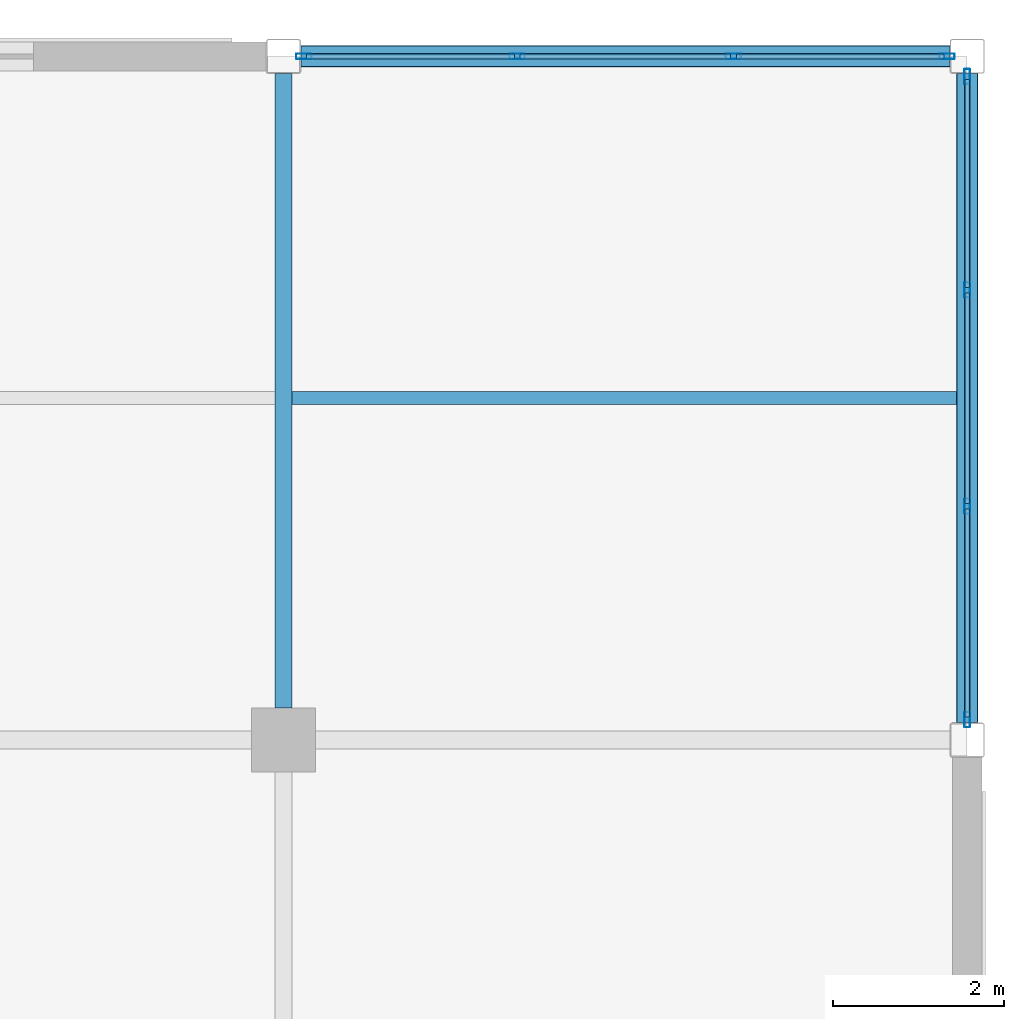
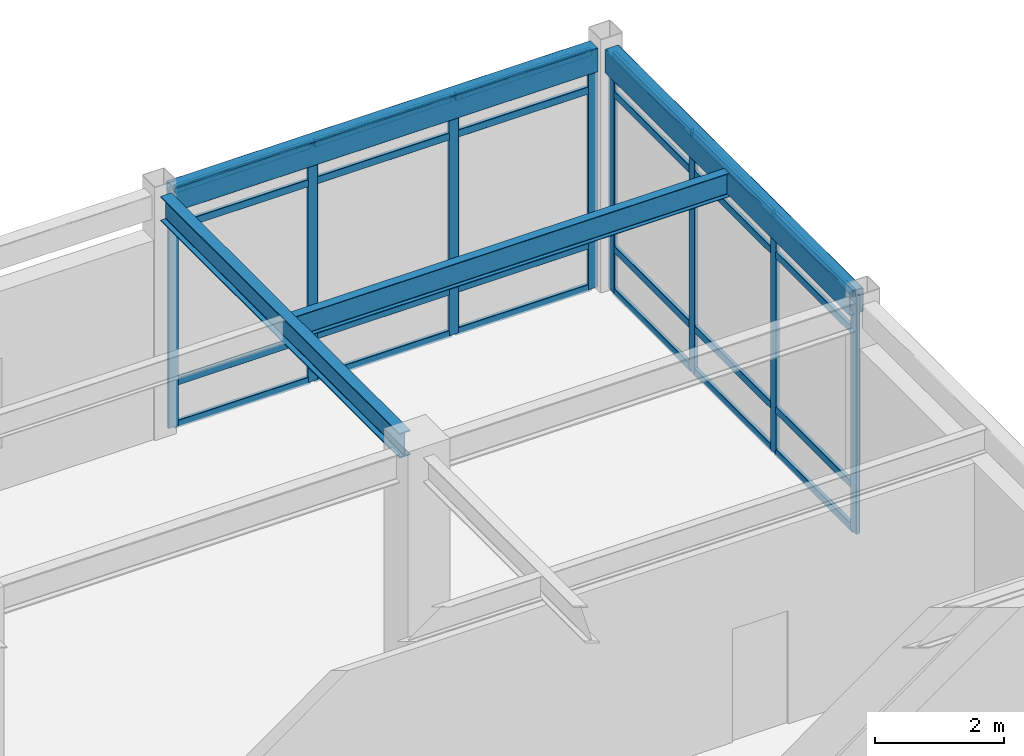
# One storey, part 82 of 117: 32 members, 4 beams, 2 elements without a shape of their own.
"""IFC4 building model written with IfcOpenShell, lengths in metres."""

import ifcopenshell
import ifcopenshell.guid

model = None  # the IFC model being written
_history = None  # IfcOwnerHistory: only IFC2X3 demands one
_inside = {}  # id of a spatial element -> (the spatial element, [elements in it])
_under = {}  # id of a project, library or spatial element -> (it, [spatial elements below it])
_declared = {}  # id of a project -> (the project, [libraries it declares])
_typed = {}  # id of a type object -> (the type object, [elements of that type])
_made_of = {}  # id of a material, layer set ... -> (it, [elements and type objects made of it])


def new_model(schema):
    """Start an empty IFC model of exactly this schema.

    Asked for "IFC4X3", IfcOpenShell would pick the latest addendum, in which some entities
    have other attributes; the version numbers below select the first issue.
    IFC2X3 requires an IfcOwnerHistory on every rooted entity: one is made here for all.
    """
    global model, _history
    if schema == "IFC4X3":
        model = ifcopenshell.file(schema_version=(4, 3, 0, 0))
    else:
        model = ifcopenshell.file(schema=schema)
    _inside.clear()
    _under.clear()
    _declared.clear()
    _typed.clear()
    _made_of.clear()
    _history = None
    if model.schema == "IFC2X3":
        org = make("IfcOrganization", Name="unknown")
        user = make(
            "IfcPersonAndOrganization",
            ThePerson=make("IfcPerson", FamilyName="unknown"),
            TheOrganization=org,
        )
        app = make(
            "IfcApplication",
            ApplicationDeveloper=org,
            Version="unknown",
            ApplicationFullName="unknown",
            ApplicationIdentifier="unknown",
        )
        _history = make(
            "IfcOwnerHistory",
            OwningUser=user,
            OwningApplication=app,
            ChangeAction="ADDED",
            CreationDate=0,
        )
    return model


def make(cls, **values):
    """One entity of the class cls with the attributes given. An attribute that is None is left unset."""
    return model.create_entity(
        cls, **{name: value for name, value in values.items() if value is not None}
    )


def rooted(cls, **values):
    """An entity with a GlobalId (a new one), such as an element, a storey or a relation."""
    return make(cls, GlobalId=ifcopenshell.guid.new(), OwnerHistory=_history, **values)


def si_unit(unit_type, name, prefix=None):
    """IfcSIUnit, for example si_unit("LENGTHUNIT", "METRE", prefix="MILLI")."""
    return make("IfcSIUnit", UnitType=unit_type, Prefix=prefix, Name=name)


def assignment(units):
    """IfcUnitAssignment: the units of a project."""
    return None if units is None else make("IfcUnitAssignment", Units=units)


def point(xyz):
    """IfcCartesianPoint."""
    return None if xyz is None else make("IfcCartesianPoint", Coordinates=xyz)


def direction(xyz):
    """IfcDirection."""
    return None if xyz is None else make("IfcDirection", DirectionRatios=xyz)


def frame(location, z_axis=None, x_axis=None):
    """IfcAxis2Placement3D, a coordinate frame: its origin and axes. An axis left out is left unset."""
    return make(
        "IfcAxis2Placement3D",
        Location=point(location),
        Axis=direction(z_axis),
        RefDirection=direction(x_axis),
    )


def frame_2d(location, x_axis=None):
    """IfcAxis2Placement2D, a coordinate frame in the plane: its origin and x axis."""
    return make(
        "IfcAxis2Placement2D", Location=point(location), RefDirection=direction(x_axis)
    )


def origin():
    """The frame at (0, 0, 0) with its axes left unset."""
    return frame((0.0, 0.0, 0.0))


def origin_2d():
    """The frame at (0, 0) in the plane with its x axis left unset."""
    return frame_2d((0.0, 0.0))


def place(relative_to, where):
    """IfcLocalPlacement: puts the frame where relative to a parent placement (None: the world)."""
    return make(
        "IfcLocalPlacement", PlacementRelTo=relative_to, RelativePlacement=where
    )


def context(
    kind, dimensions, precision=None, world=None, true_north=None, identifier=None
):
    """IfcGeometricRepresentationContext, for example the 3D "Model" context."""
    return make(
        "IfcGeometricRepresentationContext",
        ContextIdentifier=identifier,
        ContextType=kind,
        CoordinateSpaceDimension=dimensions,
        Precision=precision,
        WorldCoordinateSystem=world,
        TrueNorth=true_north,
    )


def subcontext(parent, identifier, kind, view, scale=None):
    """IfcGeometricRepresentationSubContext, for example "Body" below "Model"."""
    return make(
        "IfcGeometricRepresentationSubContext",
        ContextIdentifier=identifier,
        ContextType=kind,
        ParentContext=parent,
        TargetScale=scale,
        TargetView=view,
    )


def project(units=None, contexts=None):
    """IfcProject with its units and contexts."""
    return rooted(
        "IfcProject",
        Name="project",
        RepresentationContexts=contexts,
        UnitsInContext=assignment(units),
    )


def spatial(cls, under=None, at=None, **own):
    """A site, building, storey or space (cls), placed at a placement, below another one or the project."""
    s = rooted(cls, ObjectPlacement=at, **own)
    if under is not None:
        _under.setdefault(under.id(), (under, []))[1].append(s)
    return s


def profile(cls, at=None, kind="AREA", **sizes):
    """A parametric profile (cls). Its sizes go by their IFC names, for example OverallWidth=200.0."""
    return make(cls, ProfileType=kind, Position=at, **sizes)


def hollow_rectangle(**sizes):
    """IfcRectangleHollowProfileDef."""
    return profile("IfcRectangleHollowProfileDef", **sizes)


def i_section(**sizes):
    """IfcIShapeProfileDef."""
    return profile("IfcIShapeProfileDef", **sizes)


def extrude(swept, where, along, depth):
    """IfcExtrudedAreaSolid: the profile swept, set in the frame where, extruded along a direction by depth."""
    return make(
        "IfcExtrudedAreaSolid",
        SweptArea=swept,
        Position=where,
        ExtrudedDirection=direction(along),
        Depth=depth,
    )


def shape(context_of_items, identifier, shape_type, items):
    """IfcShapeRepresentation: the items that make up one representation, for example the "Body"."""
    return make(
        "IfcShapeRepresentation",
        ContextOfItems=context_of_items,
        RepresentationIdentifier=identifier,
        RepresentationType=shape_type,
        Items=items,
    )


def material(Name=None, Category=None):
    """IfcMaterial."""
    return make("IfcMaterial", Name=Name, Category=Category)


def material_profile(
    of_material, cross_section, Name=None, Category=None, Priority=None
):
    """IfcMaterialProfile: a cross section and its material."""
    return make(
        "IfcMaterialProfile",
        Name=Name,
        Material=of_material,
        Profile=cross_section,
        Priority=Priority,
        Category=Category,
    )


def profile_set(profiles, Name=None, composite=None):
    """IfcMaterialProfileSet."""
    return make(
        "IfcMaterialProfileSet",
        Name=Name,
        MaterialProfiles=profiles,
        CompositeProfile=composite,
    )


def made_of(thing, what):
    """Note that an element or type object is made of a material, layer set ...; save() writes the relation."""
    if what is not None:
        _made_of.setdefault(what.id(), (what, []))[1].append(thing)
    return thing


def type_object(cls, material=None, **own):
    """A type object (cls), such as IfcWallType, which elements share."""
    return made_of(rooted(cls, **own), material)


def element(
    cls,
    number,
    at=None,
    inside=None,
    cuts=None,
    type_object=None,
    material=None,
    context=None,
    identifier="Body",
    shape_type=None,
    held_by="IfcProductDefinitionShape",
    body=None,
    shapes=None,
    **own,
):
    """One element of the class cls, such as IfcWall. Its Tag is "e" and its number.

    at: its placement. inside: the storey or other place that contains it. cuts: it is an
    opening in that element (IfcRelVoidsElement). A single representation is given by context,
    identifier, shape_type and body (its items); several are given by shapes. held_by: the class
    of the entity that holds the representations. save() writes the other relations.
    """
    e = rooted(cls, Tag="e%d" % number, ObjectPlacement=at, **own)
    if body is not None:
        shapes = [shape(context, identifier, shape_type, body)]
    if shapes is not None:
        e.Representation = make(held_by, Representations=shapes)
    if inside is not None:
        _inside.setdefault(inside.id(), (inside, []))[1].append(e)
    if cuts is not None:
        rooted(
            "IfcRelVoidsElement", RelatingBuildingElement=cuts, RelatedOpeningElement=e
        )
    if type_object is not None:
        _typed.setdefault(type_object.id(), (type_object, []))[1].append(e)
    return made_of(e, material)


def aggregate(whole, parts):
    """IfcRelAggregates: a whole, such as a stair, and the parts it consists of."""
    return rooted("IfcRelAggregates", RelatingObject=whole, RelatedObjects=parts)


def save(model, path):
    """Write the relations noted so far, then the file.

    IfcRelAggregates (storeys below a building ...), IfcRelContainedInSpatialStructure (elements
    in a storey), IfcRelDefinesByType, IfcRelAssociatesMaterial and IfcRelDeclares: one each for
    every whole, place, type object, material and project.
    """
    for whole, parts in _under.values():
        aggregate(whole, parts)
    for where, things in _inside.values():
        rooted(
            "IfcRelContainedInSpatialStructure",
            RelatedElements=things,
            RelatingStructure=where,
        )
    for kind, things in _typed.values():
        rooted("IfcRelDefinesByType", RelatedObjects=things, RelatingType=kind)
    for what, things in _made_of.values():
        rooted("IfcRelAssociatesMaterial", RelatedObjects=things, RelatingMaterial=what)
    for by, libraries in _declared.values():
        rooted("IfcRelDeclares", RelatingContext=by, RelatedDefinitions=libraries)
    model.write(path)


model = new_model("IFC4")

# Units and contexts
model_context = context("Model", 3, precision=1e-05, world=origin(), true_north=direction((0.0, 1.0)))
body_context = subcontext(model_context, "Body", "Model", "MODEL_VIEW")
ifc_project = project(units=[si_unit("LENGTHUNIT", "METRE"), si_unit("AREAUNIT", "SQUARE_METRE"), si_unit("VOLUMEUNIT", "CUBIC_METRE"), si_unit("PLANEANGLEUNIT", "RADIAN"), si_unit("MASSUNIT", "GRAM", prefix="KILO")], contexts=[model_context])

# Site, building, storey
site_placement = place(None, origin())
site = spatial("IfcSite", under=ifc_project, at=site_placement, CompositionType="ELEMENT")
building_placement = place(site_placement, origin())
building = spatial("IfcBuilding", under=site, at=building_placement, Name="Solmirada Galleria", CompositionType="ELEMENT")
storey_placement = place(building_placement, frame((0.0, 0.0, 5.60009765625)))
storey = spatial("IfcBuildingStorey", under=building, at=storey_placement, Name="L01", CompositionType="ELEMENT", Elevation=5.60009765625)

# Beams
ifc_material_1 = material(Name="Steel S355 / ASTM A992 Grade 50", Category="steel")
ifc_material_profile_1 = material_profile(ifc_material_1, i_section(OverallWidth=0.194091796875, OverallDepth=0.468994140625, WebThickness=0.0126953125, FlangeThickness=0.0205078125, FilletRadius=0.013916015625, at=origin_2d()), Name="W18X71")
ifc_profile_set_1 = profile_set([ifc_material_profile_1], Name="Steel S355 / ASTM A992 Grade 50")
beam_type_1 = type_object("IfcBeamType", Name="BM-GIRD-W18B", PredefinedType="BEAM", material=ifc_profile_set_1)
beam_1_placement = place(storey_placement, frame((168.0, 112.375, 4.365478515625), z_axis=(0.0, 1.0, 0.0), x_axis=(-1.0, 0.0, 0.0)))
element("IfcBeam", 1, at=beam_1_placement, inside=storey, type_object=beam_type_1, Name="Primary girder L02 Y(168, 112..120)", PredefinedType="BEAM", context=body_context, shape_type="SweptSolid", body=[
    extrude(i_section(OverallWidth=0.194091796875, OverallDepth=0.468994140625, WebThickness=0.0126953125, FlangeThickness=0.0205078125, FilletRadius=0.013916015625, at=origin_2d()), origin(), (0.0, 0.0, 1.0), 7.422119140625),
])
ifc_material_profile_2 = material_profile(ifc_material_1, i_section(OverallWidth=0.152099609375, OverallDepth=0.449951171875, WebThickness=0.007568359375, FlangeThickness=0.0107421875, FilletRadius=0.011962890625, at=origin_2d()), Name="W18X35")
ifc_profile_set_2 = profile_set([ifc_material_profile_2], Name="Steel S355 / ASTM A992 Grade 50")
beam_type_2 = type_object("IfcBeamType", Name="BM-JST-W18B", PredefinedType="JOIST", material=ifc_profile_set_2)
beam_2_placement = place(storey_placement, frame((168.096923828125, 116.0, 4.375), z_axis=(1.0, 0.0, 0.0), x_axis=(0.0, 1.0, 0.0)))
element("IfcBeam", 2, at=beam_2_placement, inside=storey, type_object=beam_type_2, Name="Composite floor joist L02 (168..176, 116.0)", PredefinedType="JOIST", context=body_context, shape_type="SweptSolid", body=[
    extrude(i_section(OverallWidth=0.152099609375, OverallDepth=0.449951171875, WebThickness=0.007568359375, FlangeThickness=0.0107421875, FilletRadius=0.011962890625, at=origin_2d()), origin(), (0.0, 0.0, 1.0), 7.776123046875),
])
ifc_material_2 = material(Name="Steel S355 / ASTM A500 Grade C", Category="steel")
ifc_material_profile_3 = material_profile(ifc_material_2, hollow_rectangle(XDim=0.25390625, YDim=0.45703125, WallThickness=0.01171875, InnerFilletRadius=0.01171875, OuterFilletRadius=0.023681640625, at=origin_2d()), Name="HSS18X10X1/2")
ifc_profile_set_3 = profile_set([ifc_material_profile_3], Name="Steel S355 / ASTM A500 Grade C")
beam_type_3 = type_object("IfcBeamType", Name="BM-SPAND-W18", PredefinedType="SPANDREL", material=ifc_profile_set_3)
for number, where, z_axis, x_axis, name in (
    (3, (168.202880859375, 120.0, 4.371337890625), (1.0, 0.0, 0.0), (0.0, 1.0, 0.0), "Primary beam L02 X(168..176, 120)"),
    (4, (176.0, 112.202880859375, 4.371337890625), (0.0, 1.0, 0.0), (-1.0, 0.0, 0.0), "Primary girder L02 Y(176, 112..120)"),
):
    element("IfcBeam", number, at=place(storey_placement, frame(where, z_axis=z_axis, x_axis=x_axis)), inside=storey, type_object=beam_type_3, Name=name, PredefinedType="SPANDREL", context=body_context, shape_type="SweptSolid", body=[
        extrude(hollow_rectangle(XDim=0.25390625, YDim=0.45703125, WallThickness=0.01171875, InnerFilletRadius=0.01171875, OuterFilletRadius=0.023681640625, at=origin_2d()), origin(), (0.0, 0.0, 1.0), 7.59423828125),
    ])

# Curtain wall, members
ifc_material_3 = material(Name="Impact-resistant low-E double glazing", Category="glass")
curtain_wall_type = type_object("IfcCurtainWallType", Name="CW-FZ2-L01-B3-L076", PredefinedType="NOTDEFINED", material=ifc_material_3)
curtain_wall_1_placement = place(storey_placement, origin())
curtain_wall_1 = element("IfcCurtainWall", 5, at=curtain_wall_1_placement, inside=storey, type_object=curtain_wall_type, Name="Terrace and arcade storefront CW-L01-059", PredefinedType="NOTDEFINED")
ifc_material_4 = material(Name="Anodised aluminium framing", Category="aluminium")
ifc_material_profile_4 = material_profile(ifc_material_4, hollow_rectangle(XDim=0.06494140625, YDim=0.179931640625, WallThickness=0.00390625, InnerFilletRadius=0.00390625, OuterFilletRadius=0.008056640625, at=origin_2d()), Name="ALU-MULL-180X65")
ifc_profile_set_4 = profile_set([ifc_material_profile_4], Name="Anodised aluminium framing")
member_type_1 = type_object("IfcMemberType", Name="CW-MULL-180", PredefinedType="MULLION", material=ifc_profile_set_4)
member_1_placement = place(storey_placement, frame((168.237548828125, 120.0, 0.0), z_axis=(0.0, 0.0, 1.0), x_axis=(0.0, 1.0, 0.0)))
member_1 = element("IfcMember", 6, at=member_1_placement, type_object=member_type_1, Name="CW15 mullion 1", PredefinedType="MULLION", context=body_context, shape_type="SweptSolid", body=[
    extrude(hollow_rectangle(XDim=0.06494140625, YDim=0.179931640625, WallThickness=0.00390625, InnerFilletRadius=0.00390625, OuterFilletRadius=0.008056640625, at=origin_2d()), origin(), (0.0, 0.0, 1.0), 4.52001953125),
])
member_2_placement = place(storey_placement, frame((170.735107421875, 120.0, 0.0), z_axis=(0.0, 0.0, 1.0), x_axis=(0.0, 1.0, 0.0)))
member_2 = element("IfcMember", 7, at=member_2_placement, type_object=member_type_1, Name="CW15 mullion 2", PredefinedType="MULLION", context=body_context, shape_type="SweptSolid", body=[
    extrude(hollow_rectangle(XDim=0.06494140625, YDim=0.179931640625, WallThickness=0.00390625, InnerFilletRadius=0.00390625, OuterFilletRadius=0.008056640625, at=origin_2d()), origin(), (0.0, 0.0, 1.0), 4.52001953125),
])
member_3_placement = place(storey_placement, frame((173.264892578125, 120.0, 0.0), z_axis=(0.0, 0.0, 1.0), x_axis=(0.0, 1.0, 0.0)))
member_3 = element("IfcMember", 8, at=member_3_placement, type_object=member_type_1, Name="CW15 mullion 3", PredefinedType="MULLION", context=body_context, shape_type="SweptSolid", body=[
    extrude(hollow_rectangle(XDim=0.06494140625, YDim=0.179931640625, WallThickness=0.00390625, InnerFilletRadius=0.00390625, OuterFilletRadius=0.008056640625, at=origin_2d()), origin(), (0.0, 0.0, 1.0), 4.52001953125),
])
member_4_placement = place(storey_placement, frame((175.762451171875, 120.0, 0.0), z_axis=(0.0, 0.0, 1.0), x_axis=(0.0, 1.0, 0.0)))
member_4 = element("IfcMember", 9, at=member_4_placement, type_object=member_type_1, Name="CW15 mullion 4", PredefinedType="MULLION", context=body_context, shape_type="SweptSolid", body=[
    extrude(hollow_rectangle(XDim=0.06494140625, YDim=0.179931640625, WallThickness=0.00390625, InnerFilletRadius=0.00390625, OuterFilletRadius=0.008056640625, at=origin_2d()), origin(), (0.0, 0.0, 1.0), 4.52001953125),
])

curtain_wall_2_placement = place(storey_placement, origin())
curtain_wall_2 = element("IfcCurtainWall", 10, at=curtain_wall_2_placement, inside=storey, type_object=curtain_wall_type, Name="Terrace and arcade storefront CW-L01-060", PredefinedType="NOTDEFINED")
member_5_placement = place(storey_placement, frame((176.0, 119.762451171875, 0.0), z_axis=(0.0, 0.0, 1.0), x_axis=(1.0, 0.0, 0.0)))
member_5 = element("IfcMember", 11, at=member_5_placement, type_object=member_type_1, Name="CW15 mullion 1", PredefinedType="MULLION", context=body_context, shape_type="SweptSolid", body=[
    extrude(hollow_rectangle(XDim=0.06494140625, YDim=0.179931640625, WallThickness=0.00390625, InnerFilletRadius=0.00390625, OuterFilletRadius=0.008056640625, at=origin_2d()), origin(), (0.0, 0.0, 1.0), 4.52001953125),
])
member_6_placement = place(storey_placement, frame((176.0, 117.264892578125, 0.0), z_axis=(0.0, 0.0, 1.0), x_axis=(1.0, 0.0, 0.0)))
member_6 = element("IfcMember", 12, at=member_6_placement, type_object=member_type_1, Name="CW15 mullion 2", PredefinedType="MULLION", context=body_context, shape_type="SweptSolid", body=[
    extrude(hollow_rectangle(XDim=0.06494140625, YDim=0.179931640625, WallThickness=0.00390625, InnerFilletRadius=0.00390625, OuterFilletRadius=0.008056640625, at=origin_2d()), origin(), (0.0, 0.0, 1.0), 4.52001953125),
])
member_7_placement = place(storey_placement, frame((176.0, 114.735107421875, 0.0), z_axis=(0.0, 0.0, 1.0), x_axis=(1.0, 0.0, 0.0)))
member_7 = element("IfcMember", 13, at=member_7_placement, type_object=member_type_1, Name="CW15 mullion 3", PredefinedType="MULLION", context=body_context, shape_type="SweptSolid", body=[
    extrude(hollow_rectangle(XDim=0.06494140625, YDim=0.179931640625, WallThickness=0.00390625, InnerFilletRadius=0.00390625, OuterFilletRadius=0.008056640625, at=origin_2d()), origin(), (0.0, 0.0, 1.0), 4.52001953125),
])
member_8_placement = place(storey_placement, frame((176.0, 112.237548828125, 0.0), z_axis=(0.0, 0.0, 1.0), x_axis=(1.0, 0.0, 0.0)))
member_8 = element("IfcMember", 14, at=member_8_placement, type_object=member_type_1, Name="CW15 mullion 4", PredefinedType="MULLION", context=body_context, shape_type="SweptSolid", body=[
    extrude(hollow_rectangle(XDim=0.06494140625, YDim=0.179931640625, WallThickness=0.00390625, InnerFilletRadius=0.00390625, OuterFilletRadius=0.008056640625, at=origin_2d()), origin(), (0.0, 0.0, 1.0), 4.52001953125),
])

# Member
ifc_material_profile_5 = material_profile(ifc_material_4, hollow_rectangle(XDim=0.06494140625, YDim=0.139892578125, WallThickness=0.00341796875, InnerFilletRadius=0.00341796875, OuterFilletRadius=0.007080078125, at=origin_2d()), Name="ALU-TRAN-140X65")
ifc_profile_set_5 = profile_set([ifc_material_profile_5], Name="Anodised aluminium framing")
member_type_2 = type_object("IfcMemberType", Name="CW-TRAN-140", PredefinedType="USERDEFINED", material=ifc_profile_set_5)
member_9_placement = place(storey_placement, frame((168.27001953125, 120.0, 0.032470703125), z_axis=(1.0, 0.0, 0.0), x_axis=(0.0, 1.0, 0.0)))
member_9 = element("IfcMember", 15, at=member_9_placement, type_object=member_type_2, Name="CW15 transom 1.1", ObjectType="TRANSOM", PredefinedType="USERDEFINED", context=body_context, shape_type="SweptSolid", body=[
    extrude(hollow_rectangle(XDim=0.06494140625, YDim=0.139892578125, WallThickness=0.00341796875, InnerFilletRadius=0.00341796875, OuterFilletRadius=0.007080078125, at=origin_2d()), origin(), (0.0, 0.0, 1.0), 2.432373046875),
])

member_10_placement = place(storey_placement, frame((168.27001953125, 120.0, 0.83984375), z_axis=(1.0, 0.0, 0.0), x_axis=(0.0, 1.0, 0.0)))
member_10 = element("IfcMember", 16, at=member_10_placement, type_object=member_type_2, Name="CW15 transom 1.2", ObjectType="TRANSOM", PredefinedType="USERDEFINED", context=body_context, shape_type="SweptSolid", body=[
    extrude(hollow_rectangle(XDim=0.06494140625, YDim=0.139892578125, WallThickness=0.00341796875, InnerFilletRadius=0.00341796875, OuterFilletRadius=0.007080078125, at=origin_2d()), origin(), (0.0, 0.0, 1.0), 2.432373046875),
])

member_11_placement = place(storey_placement, frame((168.27001953125, 120.0, 3.77978515625), z_axis=(1.0, 0.0, 0.0), x_axis=(0.0, 1.0, 0.0)))
member_11 = element("IfcMember", 17, at=member_11_placement, type_object=member_type_2, Name="CW15 transom 1.3", ObjectType="TRANSOM", PredefinedType="USERDEFINED", context=body_context, shape_type="SweptSolid", body=[
    extrude(hollow_rectangle(XDim=0.06494140625, YDim=0.139892578125, WallThickness=0.00341796875, InnerFilletRadius=0.00341796875, OuterFilletRadius=0.007080078125, at=origin_2d()), origin(), (0.0, 0.0, 1.0), 2.432373046875),
])

member_12_placement = place(storey_placement, frame((168.27001953125, 120.0, 4.4873046875), z_axis=(1.0, 0.0, 0.0), x_axis=(0.0, 1.0, 0.0)))
member_12 = element("IfcMember", 18, at=member_12_placement, type_object=member_type_2, Name="CW15 transom 1.4", ObjectType="TRANSOM", PredefinedType="USERDEFINED", context=body_context, shape_type="SweptSolid", body=[
    extrude(hollow_rectangle(XDim=0.06494140625, YDim=0.139892578125, WallThickness=0.00341796875, InnerFilletRadius=0.00341796875, OuterFilletRadius=0.007080078125, at=origin_2d()), origin(), (0.0, 0.0, 1.0), 2.432373046875),
])

member_13_placement = place(storey_placement, frame((170.767578125, 120.0, 0.032470703125), z_axis=(1.0, 0.0, 0.0), x_axis=(0.0, 1.0, 0.0)))
member_13 = element("IfcMember", 19, at=member_13_placement, type_object=member_type_2, Name="CW15 transom 2.1", ObjectType="TRANSOM", PredefinedType="USERDEFINED", context=body_context, shape_type="SweptSolid", body=[
    extrude(hollow_rectangle(XDim=0.06494140625, YDim=0.139892578125, WallThickness=0.00341796875, InnerFilletRadius=0.00341796875, OuterFilletRadius=0.007080078125, at=origin_2d()), origin(), (0.0, 0.0, 1.0), 2.46484375),
])

member_14_placement = place(storey_placement, frame((170.767578125, 120.0, 0.83984375), z_axis=(1.0, 0.0, 0.0), x_axis=(0.0, 1.0, 0.0)))
member_14 = element("IfcMember", 20, at=member_14_placement, type_object=member_type_2, Name="CW15 transom 2.2", ObjectType="TRANSOM", PredefinedType="USERDEFINED", context=body_context, shape_type="SweptSolid", body=[
    extrude(hollow_rectangle(XDim=0.06494140625, YDim=0.139892578125, WallThickness=0.00341796875, InnerFilletRadius=0.00341796875, OuterFilletRadius=0.007080078125, at=origin_2d()), origin(), (0.0, 0.0, 1.0), 2.46484375),
])

member_15_placement = place(storey_placement, frame((170.767578125, 120.0, 3.77978515625), z_axis=(1.0, 0.0, 0.0), x_axis=(0.0, 1.0, 0.0)))
member_15 = element("IfcMember", 21, at=member_15_placement, type_object=member_type_2, Name="CW15 transom 2.3", ObjectType="TRANSOM", PredefinedType="USERDEFINED", context=body_context, shape_type="SweptSolid", body=[
    extrude(hollow_rectangle(XDim=0.06494140625, YDim=0.139892578125, WallThickness=0.00341796875, InnerFilletRadius=0.00341796875, OuterFilletRadius=0.007080078125, at=origin_2d()), origin(), (0.0, 0.0, 1.0), 2.46484375),
])

member_16_placement = place(storey_placement, frame((170.767578125, 120.0, 4.4873046875), z_axis=(1.0, 0.0, 0.0), x_axis=(0.0, 1.0, 0.0)))
member_16 = element("IfcMember", 22, at=member_16_placement, type_object=member_type_2, Name="CW15 transom 2.4", ObjectType="TRANSOM", PredefinedType="USERDEFINED", context=body_context, shape_type="SweptSolid", body=[
    extrude(hollow_rectangle(XDim=0.06494140625, YDim=0.139892578125, WallThickness=0.00341796875, InnerFilletRadius=0.00341796875, OuterFilletRadius=0.007080078125, at=origin_2d()), origin(), (0.0, 0.0, 1.0), 2.46484375),
])

member_17_placement = place(storey_placement, frame((173.297607421875, 120.0, 0.032470703125), z_axis=(1.0, 0.0, 0.0), x_axis=(0.0, 1.0, 0.0)))
member_17 = element("IfcMember", 23, at=member_17_placement, type_object=member_type_2, Name="CW15 transom 3.1", ObjectType="TRANSOM", PredefinedType="USERDEFINED", context=body_context, shape_type="SweptSolid", body=[
    extrude(hollow_rectangle(XDim=0.06494140625, YDim=0.139892578125, WallThickness=0.00341796875, InnerFilletRadius=0.00341796875, OuterFilletRadius=0.007080078125, at=origin_2d()), origin(), (0.0, 0.0, 1.0), 2.432373046875),
])

member_18_placement = place(storey_placement, frame((173.297607421875, 120.0, 0.83984375), z_axis=(1.0, 0.0, 0.0), x_axis=(0.0, 1.0, 0.0)))
member_18 = element("IfcMember", 24, at=member_18_placement, type_object=member_type_2, Name="CW15 transom 3.2", ObjectType="TRANSOM", PredefinedType="USERDEFINED", context=body_context, shape_type="SweptSolid", body=[
    extrude(hollow_rectangle(XDim=0.06494140625, YDim=0.139892578125, WallThickness=0.00341796875, InnerFilletRadius=0.00341796875, OuterFilletRadius=0.007080078125, at=origin_2d()), origin(), (0.0, 0.0, 1.0), 2.432373046875),
])

member_19_placement = place(storey_placement, frame((173.297607421875, 120.0, 3.77978515625), z_axis=(1.0, 0.0, 0.0), x_axis=(0.0, 1.0, 0.0)))
member_19 = element("IfcMember", 25, at=member_19_placement, type_object=member_type_2, Name="CW15 transom 3.3", ObjectType="TRANSOM", PredefinedType="USERDEFINED", context=body_context, shape_type="SweptSolid", body=[
    extrude(hollow_rectangle(XDim=0.06494140625, YDim=0.139892578125, WallThickness=0.00341796875, InnerFilletRadius=0.00341796875, OuterFilletRadius=0.007080078125, at=origin_2d()), origin(), (0.0, 0.0, 1.0), 2.432373046875),
])

member_20_placement = place(storey_placement, frame((173.297607421875, 120.0, 4.4873046875), z_axis=(1.0, 0.0, 0.0), x_axis=(0.0, 1.0, 0.0)))
member_20 = element("IfcMember", 26, at=member_20_placement, type_object=member_type_2, Name="CW15 transom 3.4", ObjectType="TRANSOM", PredefinedType="USERDEFINED", context=body_context, shape_type="SweptSolid", body=[
    extrude(hollow_rectangle(XDim=0.06494140625, YDim=0.139892578125, WallThickness=0.00341796875, InnerFilletRadius=0.00341796875, OuterFilletRadius=0.007080078125, at=origin_2d()), origin(), (0.0, 0.0, 1.0), 2.432373046875),
])

aggregate(curtain_wall_1, [member_1, member_2, member_3, member_4, member_9, member_10, member_11, member_12, member_13, member_14, member_15, member_16, member_17, member_18, member_19, member_20])

member_21_placement = place(storey_placement, frame((176.0, 119.72998046875, 0.032470703125), z_axis=(0.0, -1.0, 0.0), x_axis=(1.0, 0.0, 0.0)))
member_21 = element("IfcMember", 27, at=member_21_placement, type_object=member_type_2, Name="CW15 transom 1.1", ObjectType="TRANSOM", PredefinedType="USERDEFINED", context=body_context, shape_type="SweptSolid", body=[
    extrude(hollow_rectangle(XDim=0.06494140625, YDim=0.139892578125, WallThickness=0.00341796875, InnerFilletRadius=0.00341796875, OuterFilletRadius=0.007080078125, at=origin_2d()), origin(), (0.0, 0.0, 1.0), 2.432373046875),
])

member_22_placement = place(storey_placement, frame((176.0, 119.72998046875, 0.83984375), z_axis=(0.0, -1.0, 0.0), x_axis=(1.0, 0.0, 0.0)))
member_22 = element("IfcMember", 28, at=member_22_placement, type_object=member_type_2, Name="CW15 transom 1.2", ObjectType="TRANSOM", PredefinedType="USERDEFINED", context=body_context, shape_type="SweptSolid", body=[
    extrude(hollow_rectangle(XDim=0.06494140625, YDim=0.139892578125, WallThickness=0.00341796875, InnerFilletRadius=0.00341796875, OuterFilletRadius=0.007080078125, at=origin_2d()), origin(), (0.0, 0.0, 1.0), 2.432373046875),
])

member_23_placement = place(storey_placement, frame((176.0, 119.72998046875, 3.77978515625), z_axis=(0.0, -1.0, 0.0), x_axis=(1.0, 0.0, 0.0)))
member_23 = element("IfcMember", 29, at=member_23_placement, type_object=member_type_2, Name="CW15 transom 1.3", ObjectType="TRANSOM", PredefinedType="USERDEFINED", context=body_context, shape_type="SweptSolid", body=[
    extrude(hollow_rectangle(XDim=0.06494140625, YDim=0.139892578125, WallThickness=0.00341796875, InnerFilletRadius=0.00341796875, OuterFilletRadius=0.007080078125, at=origin_2d()), origin(), (0.0, 0.0, 1.0), 2.432373046875),
])

member_24_placement = place(storey_placement, frame((176.0, 119.72998046875, 4.4873046875), z_axis=(0.0, -1.0, 0.0), x_axis=(1.0, 0.0, 0.0)))
member_24 = element("IfcMember", 30, at=member_24_placement, type_object=member_type_2, Name="CW15 transom 1.4", ObjectType="TRANSOM", PredefinedType="USERDEFINED", context=body_context, shape_type="SweptSolid", body=[
    extrude(hollow_rectangle(XDim=0.06494140625, YDim=0.139892578125, WallThickness=0.00341796875, InnerFilletRadius=0.00341796875, OuterFilletRadius=0.007080078125, at=origin_2d()), origin(), (0.0, 0.0, 1.0), 2.432373046875),
])

member_25_placement = place(storey_placement, frame((176.0, 117.232421875, 0.032470703125), z_axis=(0.0, -1.0, 0.0), x_axis=(1.0, 0.0, 0.0)))
member_25 = element("IfcMember", 31, at=member_25_placement, type_object=member_type_2, Name="CW15 transom 2.1", ObjectType="TRANSOM", PredefinedType="USERDEFINED", context=body_context, shape_type="SweptSolid", body=[
    extrude(hollow_rectangle(XDim=0.06494140625, YDim=0.139892578125, WallThickness=0.00341796875, InnerFilletRadius=0.00341796875, OuterFilletRadius=0.007080078125, at=origin_2d()), origin(), (0.0, 0.0, 1.0), 2.46484375),
])

member_26_placement = place(storey_placement, frame((176.0, 117.232421875, 0.83984375), z_axis=(0.0, -1.0, 0.0), x_axis=(1.0, 0.0, 0.0)))
member_26 = element("IfcMember", 32, at=member_26_placement, type_object=member_type_2, Name="CW15 transom 2.2", ObjectType="TRANSOM", PredefinedType="USERDEFINED", context=body_context, shape_type="SweptSolid", body=[
    extrude(hollow_rectangle(XDim=0.06494140625, YDim=0.139892578125, WallThickness=0.00341796875, InnerFilletRadius=0.00341796875, OuterFilletRadius=0.007080078125, at=origin_2d()), origin(), (0.0, 0.0, 1.0), 2.46484375),
])

member_27_placement = place(storey_placement, frame((176.0, 117.232421875, 3.77978515625), z_axis=(0.0, -1.0, 0.0), x_axis=(1.0, 0.0, 0.0)))
member_27 = element("IfcMember", 33, at=member_27_placement, type_object=member_type_2, Name="CW15 transom 2.3", ObjectType="TRANSOM", PredefinedType="USERDEFINED", context=body_context, shape_type="SweptSolid", body=[
    extrude(hollow_rectangle(XDim=0.06494140625, YDim=0.139892578125, WallThickness=0.00341796875, InnerFilletRadius=0.00341796875, OuterFilletRadius=0.007080078125, at=origin_2d()), origin(), (0.0, 0.0, 1.0), 2.46484375),
])

member_28_placement = place(storey_placement, frame((176.0, 117.232421875, 4.4873046875), z_axis=(0.0, -1.0, 0.0), x_axis=(1.0, 0.0, 0.0)))
member_28 = element("IfcMember", 34, at=member_28_placement, type_object=member_type_2, Name="CW15 transom 2.4", ObjectType="TRANSOM", PredefinedType="USERDEFINED", context=body_context, shape_type="SweptSolid", body=[
    extrude(hollow_rectangle(XDim=0.06494140625, YDim=0.139892578125, WallThickness=0.00341796875, InnerFilletRadius=0.00341796875, OuterFilletRadius=0.007080078125, at=origin_2d()), origin(), (0.0, 0.0, 1.0), 2.46484375),
])

member_29_placement = place(storey_placement, frame((176.0, 114.702392578125, 0.032470703125), z_axis=(0.0, -1.0, 0.0), x_axis=(1.0, 0.0, 0.0)))
member_29 = element("IfcMember", 35, at=member_29_placement, type_object=member_type_2, Name="CW15 transom 3.1", ObjectType="TRANSOM", PredefinedType="USERDEFINED", context=body_context, shape_type="SweptSolid", body=[
    extrude(hollow_rectangle(XDim=0.06494140625, YDim=0.139892578125, WallThickness=0.00341796875, InnerFilletRadius=0.00341796875, OuterFilletRadius=0.007080078125, at=origin_2d()), origin(), (0.0, 0.0, 1.0), 2.432373046875),
])

member_30_placement = place(storey_placement, frame((176.0, 114.702392578125, 0.83984375), z_axis=(0.0, -1.0, 0.0), x_axis=(1.0, 0.0, 0.0)))
member_30 = element("IfcMember", 36, at=member_30_placement, type_object=member_type_2, Name="CW15 transom 3.2", ObjectType="TRANSOM", PredefinedType="USERDEFINED", context=body_context, shape_type="SweptSolid", body=[
    extrude(hollow_rectangle(XDim=0.06494140625, YDim=0.139892578125, WallThickness=0.00341796875, InnerFilletRadius=0.00341796875, OuterFilletRadius=0.007080078125, at=origin_2d()), origin(), (0.0, 0.0, 1.0), 2.432373046875),
])

member_31_placement = place(storey_placement, frame((176.0, 114.702392578125, 3.77978515625), z_axis=(0.0, -1.0, 0.0), x_axis=(1.0, 0.0, 0.0)))
member_31 = element("IfcMember", 37, at=member_31_placement, type_object=member_type_2, Name="CW15 transom 3.3", ObjectType="TRANSOM", PredefinedType="USERDEFINED", context=body_context, shape_type="SweptSolid", body=[
    extrude(hollow_rectangle(XDim=0.06494140625, YDim=0.139892578125, WallThickness=0.00341796875, InnerFilletRadius=0.00341796875, OuterFilletRadius=0.007080078125, at=origin_2d()), origin(), (0.0, 0.0, 1.0), 2.432373046875),
])

member_32_placement = place(storey_placement, frame((176.0, 114.702392578125, 4.4873046875), z_axis=(0.0, -1.0, 0.0), x_axis=(1.0, 0.0, 0.0)))
member_32 = element("IfcMember", 38, at=member_32_placement, type_object=member_type_2, Name="CW15 transom 3.4", ObjectType="TRANSOM", PredefinedType="USERDEFINED", context=body_context, shape_type="SweptSolid", body=[
    extrude(hollow_rectangle(XDim=0.06494140625, YDim=0.139892578125, WallThickness=0.00341796875, InnerFilletRadius=0.00341796875, OuterFilletRadius=0.007080078125, at=origin_2d()), origin(), (0.0, 0.0, 1.0), 2.432373046875),
])

aggregate(curtain_wall_2, [member_5, member_6, member_7, member_8, member_21, member_22, member_23, member_24, member_25, member_26, member_27, member_28, member_29, member_30, member_31, member_32])

save(model, "model.ifc")
